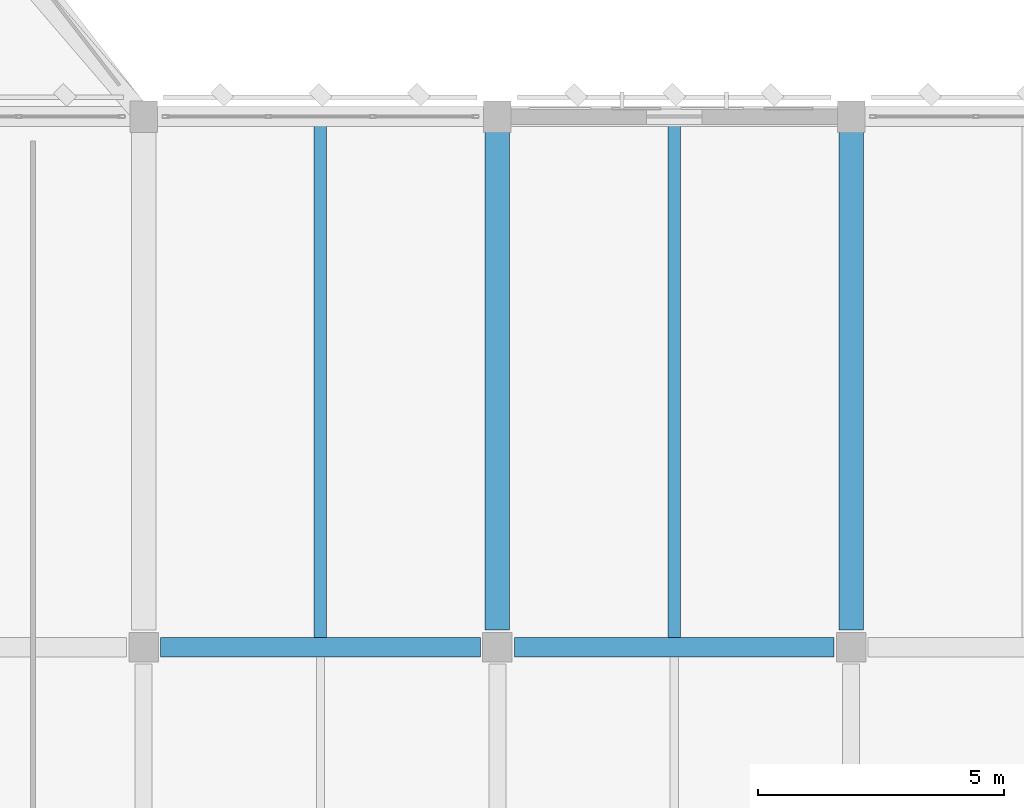
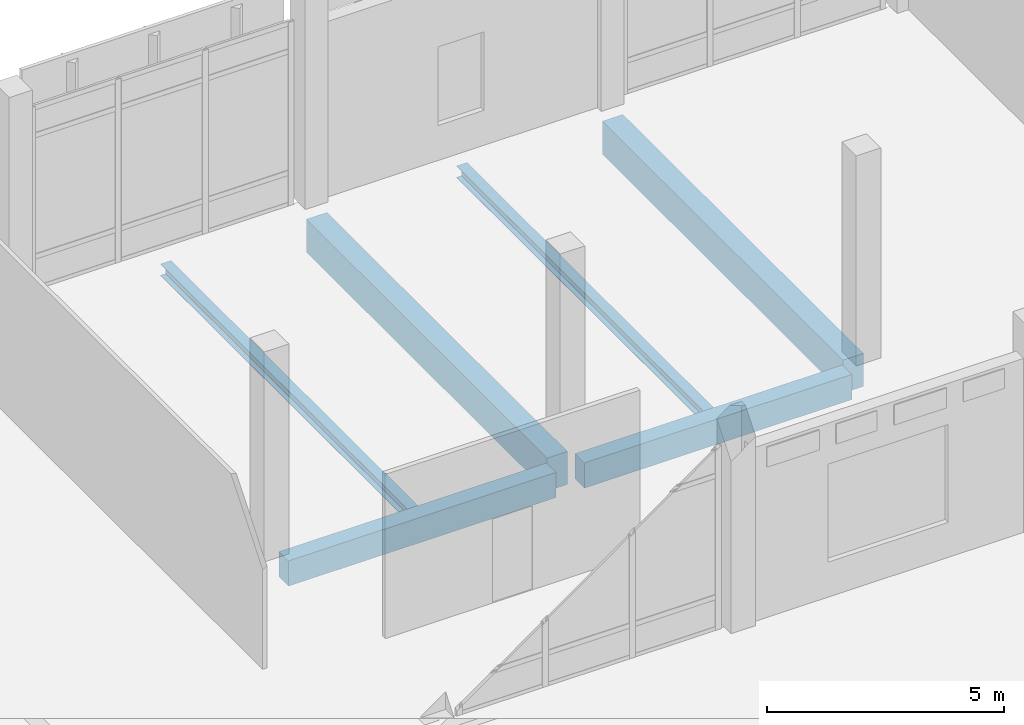
# One storey, part 130 of 180: 6 beams.
"""IFC4 building model written with IfcOpenShell, lengths in metres."""

from ifc_helpers import new_model, si_unit, direction, frame, origin, origin_2d, place, context, subcontext, project, spatial, rectangle, i_section, extrude, material, material_profile, profile_set, type_object, element, save


model = new_model("IFC4")

# Units and contexts
model_context = context("Model", 3, precision=1e-05, world=origin(), true_north=direction((0.0, 1.0)))
body_context = subcontext(model_context, "Body", "Model", "MODEL_VIEW")
ifc_project = project(units=[si_unit("LENGTHUNIT", "METRE"), si_unit("AREAUNIT", "SQUARE_METRE"), si_unit("VOLUMEUNIT", "CUBIC_METRE"), si_unit("PLANEANGLEUNIT", "RADIAN"), si_unit("MASSUNIT", "GRAM", prefix="KILO")], contexts=[model_context])

# Site, building, storey
site_placement = place(None, origin())
site = spatial("IfcSite", under=ifc_project, at=site_placement, CompositionType="ELEMENT")
building_placement = place(site_placement, origin())
building = spatial("IfcBuilding", under=site, at=building_placement, Name="Lusvemor Sports Hall", CompositionType="ELEMENT")
storey_placement = place(building_placement, frame((0.0, 0.0, 5.39990234375)))
storey = spatial("IfcBuildingStorey", under=building, at=storey_placement, Name="L01", CompositionType="ELEMENT", Elevation=5.39990234375)

# Beams
ifc_material_1 = material(Name="Concrete C40/50", Category="concrete")
ifc_material_profile_1 = material_profile(ifc_material_1, rectangle(XDim=0.39990234375, YDim=0.64990234375, at=origin_2d()), Name="RC400x650")
ifc_profile_set_1 = profile_set([ifc_material_profile_1], Name="Concrete C40/50")
beam_type_1 = type_object("IfcBeamType", Name="BEAM_RC_650", PredefinedType="BEAM", material=ifc_profile_set_1)
beam_1_placement = place(storey_placement, frame((140.74609375, 104.39990234375, -0.5849609375), z_axis=(1.0, 0.0, 0.0), x_axis=(0.0, 1.0, 0.0)))
element("IfcBeam", 1, at=beam_1_placement, inside=storey, type_object=beam_type_1, Name="Beam L01 P:16-17", PredefinedType="BEAM", context=body_context, shape_type="SweptSolid", body=[
    extrude(rectangle(XDim=0.39990234375, YDim=0.64990234375, at=origin_2d()), origin(), (0.0, 0.0, 1.0), 6.5078125),
])
beam_2_placement = place(storey_placement, frame((147.946044921875, 104.39990234375, -0.5849609375), z_axis=(1.0, 0.0, 0.0), x_axis=(0.0, 1.0, 0.0)))
element("IfcBeam", 2, at=beam_2_placement, inside=storey, type_object=beam_type_1, Name="Beam L01 P:17-18", PredefinedType="BEAM", context=body_context, shape_type="SweptSolid", body=[
    extrude(rectangle(XDim=0.39990234375, YDim=0.64990234375, at=origin_2d()), origin(), (0.0, 0.0, 1.0), 6.508056640625),
])
ifc_material_2 = material(Name="Concrete C40/50", Category="concrete")
ifc_material_profile_2 = material_profile(ifc_material_2, rectangle(XDim=0.5, YDim=0.85009765625, at=origin_2d()), Name="RC500x850")
ifc_profile_set_2 = profile_set([ifc_material_profile_2], Name="Concrete C40/50")
beam_type_2 = type_object("IfcBeamType", Name="GIRD_RC_850", PredefinedType="T_BEAM", material=ifc_profile_set_2)
for number, where, z_axis, x_axis, name in (
    (3, (147.60009765625, 104.74609375, -0.684814453125), (0.0, 1.0, 0.0), (-1.0, 0.0, 0.0), "Beam L01 17:P-Q"),
    (4, (154.800048828125, 104.74609375, -0.684814453125), (0.0, 1.0, 0.0), (-1.0, 0.0, 0.0), "Beam L01 18:P-Q"),
):
    element("IfcBeam", number, at=place(storey_placement, frame(where, z_axis=z_axis, x_axis=x_axis)), inside=storey, type_object=beam_type_2, Name=name, PredefinedType="T_BEAM", context=body_context, shape_type="SweptSolid", body=[
        extrude(rectangle(XDim=0.5, YDim=0.85009765625, at=origin_2d()), origin(), (0.0, 0.0, 1.0), 10.137939453125),
    ])
ifc_material_3 = material(Name="Steel S355", Category="steel")
ifc_material_profile_3 = material_profile(ifc_material_3, i_section(OverallWidth=0.25390625, OverallDepth=0.305908203125, WebThickness=0.0087890625, FlangeThickness=0.0146484375, FilletRadius=0.014892578125, at=origin_2d()), Name="W310x79.0")
ifc_profile_set_3 = profile_set([ifc_material_profile_3], Name="Steel S355")
beam_type_3 = type_object("IfcBeamType", Name="JOIST_ST_310H", PredefinedType="JOIST", material=ifc_profile_set_3)
for number, where, z_axis, x_axis, name in (
    (5, (144.0, 104.595947265625, -0.4169921875), (0.0, 1.0, 0.0), (-1.0, 0.0, 0.0), "Secondary Joist L01 16-17/P-Q #1"),
    (6, (151.199951171875, 104.595947265625, -0.4169921875), (0.0, 1.0, 0.0), (-1.0, 0.0, 0.0), "Secondary Joist L01 17-18/P-Q #1"),
):
    element("IfcBeam", number, at=place(storey_placement, frame(where, z_axis=z_axis, x_axis=x_axis)), inside=storey, type_object=beam_type_3, Name=name, PredefinedType="JOIST", context=body_context, shape_type="SweptSolid", body=[
        extrude(i_section(OverallWidth=0.25390625, OverallDepth=0.305908203125, WebThickness=0.0087890625, FlangeThickness=0.0146484375, FilletRadius=0.014892578125, at=origin_2d()), origin(), (0.0, 0.0, 1.0), 10.407958984375),
    ])

save(model, "model.ifc")
